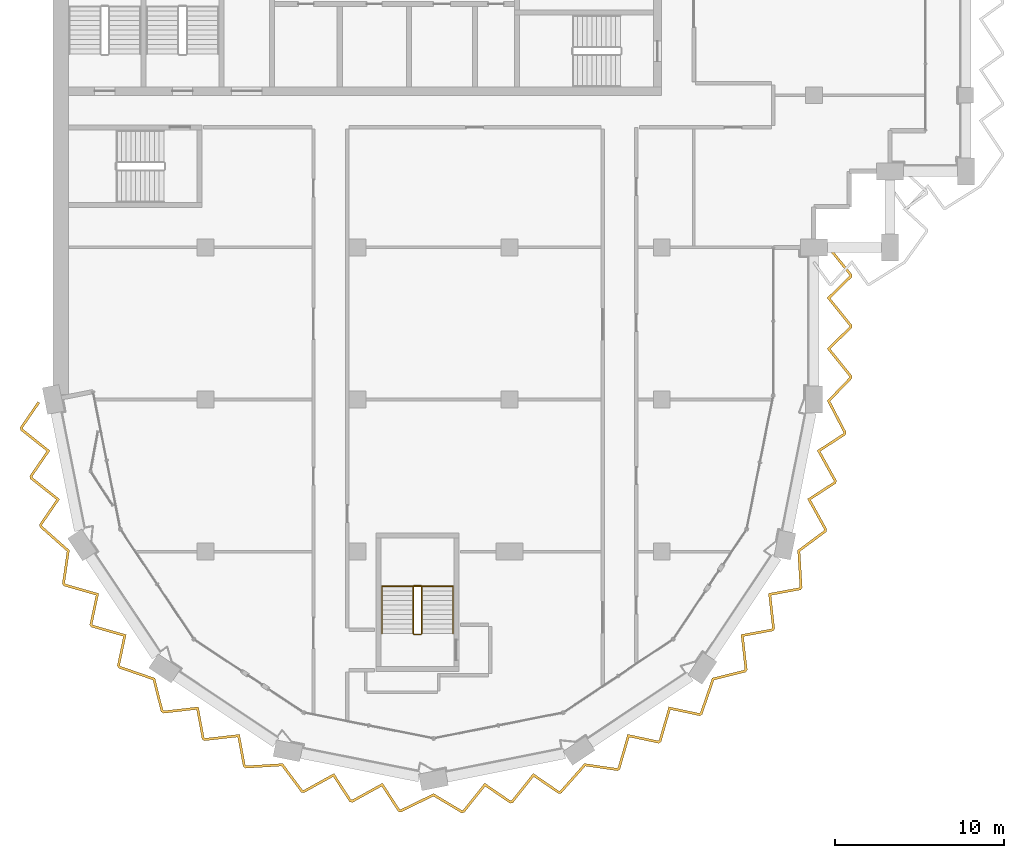
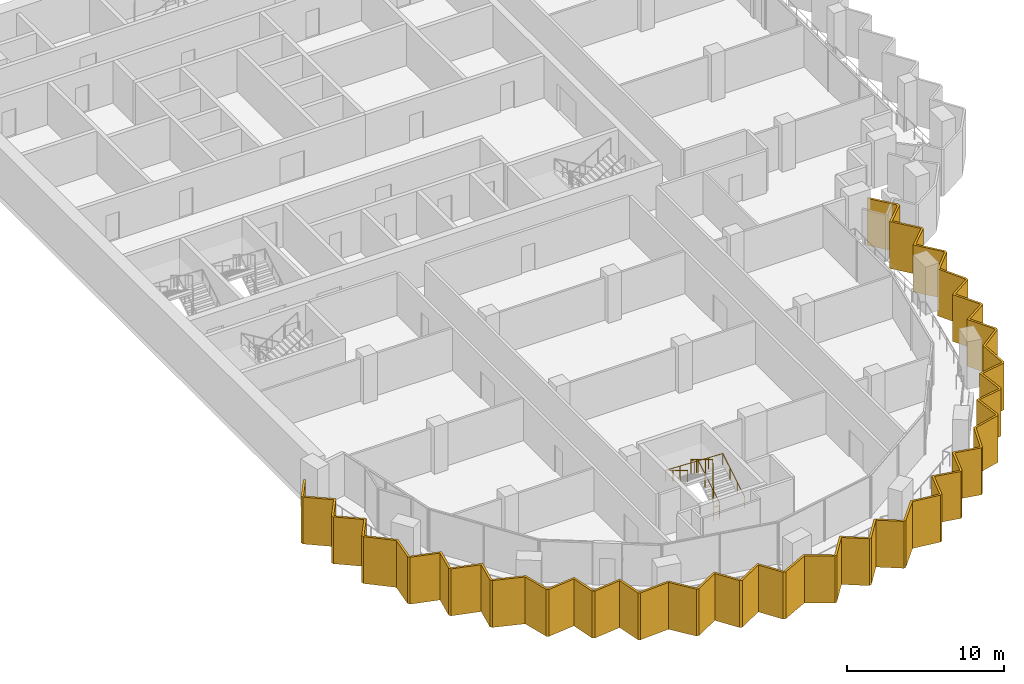
# One storey, part 14 of 17: 2 railings, 1 shading device.
"""IFC4 building model written with IfcOpenShell, lengths in metres."""

from ifc_helpers import new_model, si_unit, direction, frame, origin, origin_2d, place, context, subcontext, project, spatial, polyline, circle, outline, extrude, material, layer, layer_set, type_object, element, save


model = new_model("IFC4")

# Units and contexts
model_context = context("Model", 3, precision=1e-05, world=origin(), true_north=direction((0.0, 1.0)))
body_context = subcontext(model_context, "Body", "Model", "MODEL_VIEW")
ifc_project = project(units=[si_unit("LENGTHUNIT", "METRE"), si_unit("AREAUNIT", "SQUARE_METRE"), si_unit("VOLUMEUNIT", "CUBIC_METRE"), si_unit("PLANEANGLEUNIT", "RADIAN"), si_unit("MASSUNIT", "GRAM", prefix="KILO")], contexts=[model_context])

# Site, building, storey
site_placement = place(None, origin())
site = spatial("IfcSite", under=ifc_project, at=site_placement, CompositionType="ELEMENT")
building_placement = place(site_placement, origin())
building = spatial("IfcBuilding", under=site, at=building_placement, Name="Hunhe Ridgeline Campus", CompositionType="ELEMENT")
storey_placement = place(building_placement, frame((0.0, 0.0, 268.800048828125)))
storey = spatial("IfcBuildingStorey", under=building, at=storey_placement, Name="L69", CompositionType="ELEMENT", Elevation=268.800048828125)

# Shading device
ifc_material_1 = material(Name="Concrete C50", Category="concrete")
ifc_layer = layer(ifc_material_1, 0.14990234375)
ifc_layer_set = layer_set([ifc_layer], Name="Sawtooth concrete fin 150 Concrete C50")
shading_device_type = type_object("IfcShadingDeviceType", Name="Sawtooth concrete fin 150 Concrete C50", PredefinedType="USERDEFINED", material=ifc_layer_set)
shading_device_placement = place(storey_placement, frame((0.0, 0.0, -0.949951171875)))
element("IfcShadingDevice", 1, at=shading_device_placement, inside=storey, type_object=shading_device_type, Name="Concrete fin screen 1", ObjectType="FIN", PredefinedType="USERDEFINED", context=body_context, shape_type="SweptSolid", body=[
    extrude(outline(polyline([(-0.79638671875, 44.786865234375), (-0.919921875, 44.871826171875), (-1.965576171875, 43.348876953125), (-1.9306640625, 43.17333984375), (-0.388671875, 41.944091796875), (-1.394775390625, 40.478759765625), (-1.35986328125, 40.30322265625), (0.182373046875, 39.073974609375), (-0.82373046875, 37.608642578125), (-0.789306640625, 37.435302734375), (0.808349609375, 36.01904296875), (0.530029296875, 34.109619140625), (0.6279296875, 33.963134765625), (2.523193359375, 33.41748046875), (2.154296875, 31.6787109375), (2.25390625, 31.530029296875), (4.14892578125, 30.984375), (3.780029296875, 29.24560546875), (3.87841796875, 29.0986328125), (5.896484375, 28.401611328125), (6.369873046875, 26.531005859375), (6.5166015625, 26.43310546875), (8.47607421875, 26.654296875), (8.80078125, 24.906982421875), (8.94970703125, 24.807373046875), (10.909423828125, 25.028564453125), (11.234130859375, 23.281005859375), (11.381103515625, 23.182861328125), (13.51220703125, 23.311279296875), (14.66552734375, 21.764404296875), (14.83837890625, 21.72998046875), (16.564208984375, 22.68408203125), (17.532958984375, 21.19384765625), (17.70849609375, 21.158935546875), (19.434326171875, 22.11328125), (20.403076171875, 20.623046875), (20.576416015625, 20.588623046875), (22.496337890625, 21.522705078125), (24.15380859375, 20.534912109375), (24.32666015625, 20.5693359375), (25.555908203125, 22.111328125), (27.021240234375, 21.105224609375), (27.19677734375, 21.14013671875), (28.426025390625, 22.682373046875), (29.891357421875, 21.67626953125), (30.064697265625, 21.710693359375), (31.48095703125, 23.308349609375), (33.390380859375, 23.030029296875), (33.536865234375, 23.1279296875), (34.08251953125, 25.023193359375), (35.8212890625, 24.654296875), (35.969970703125, 24.75390625), (36.515625, 26.64892578125), (38.25439453125, 26.280029296875), (38.4013671875, 26.37841796875), (39.098388671875, 28.396484375), (40.968994140625, 28.869873046875), (41.06689453125, 29.0166015625), (40.845703125, 30.97607421875), (42.593017578125, 31.30078125), (42.692626953125, 31.44970703125), (42.471435546875, 33.409423828125), (44.218994140625, 33.734130859375), (44.317138671875, 33.881103515625), (44.188720703125, 36.01220703125), (45.735595703125, 37.16552734375), (45.77001953125, 37.33837890625), (44.81591796875, 39.064208984375), (46.30615234375, 40.032958984375), (46.341064453125, 40.20849609375), (45.38671875, 41.934326171875), (46.876953125, 42.903076171875), (46.91162109375, 43.07763671875), (45.96630859375, 44.900634765625), (47.25, 46.2373046875), (47.25, 46.4140625), (45.976318359375, 47.993896484375), (47.25, 49.23583984375), (47.25, 49.4140625), (45.976318359375, 50.993896484375), (47.25, 52.23583984375), (47.25, 52.4140625), (45.933349609375, 54.047119140625), (45.816650390625, 53.952880859375), (47.10009765625, 52.361083984375), (47.10009765625, 52.299072265625), (45.773681640625, 51.006103515625), (47.10009765625, 49.361083984375), (47.10009765625, 49.299072265625), (45.773681640625, 48.006103515625), (47.10009765625, 46.361083984375), (47.10009765625, 46.297607421875), (45.78369140625, 44.927001953125), (46.75439453125, 43.05517578125), (46.7421875, 42.994384765625), (45.187744140625, 41.98388671875), (46.18310546875, 40.18408203125), (46.17138671875, 40.124267578125), (44.616943359375, 39.11376953125), (45.6123046875, 37.31396484375), (45.599853515625, 37.25146484375), (44.0341796875, 36.084228515625), (44.164306640625, 33.92236328125), (44.12939453125, 33.869873046875), (42.306640625, 33.53125), (42.537353515625, 31.487548828125), (42.503662109375, 31.436767578125), (40.680908203125, 31.09814453125), (40.91162109375, 29.05419921875), (40.876220703125, 29.001220703125), (38.983154296875, 28.52197265625), (38.276123046875, 26.47509765625), (38.2236328125, 26.43994140625), (36.41015625, 26.82470703125), (35.841064453125, 24.84814453125), (35.79052734375, 24.814208984375), (33.976806640625, 25.19873046875), (33.407958984375, 23.22216796875), (33.35498046875, 23.186767578125), (31.422607421875, 23.468505859375), (29.986083984375, 21.847900390625), (29.924072265625, 21.835693359375), (28.395751953125, 22.885009765625), (27.11376953125, 21.276611328125), (27.053955078125, 21.2646484375), (25.525634765625, 22.31396484375), (24.24365234375, 20.70556640625), (24.18115234375, 20.693359375), (22.503662109375, 21.693115234375), (20.556396484375, 20.74560546875), (20.494384765625, 20.7578125), (19.48388671875, 22.312255859375), (17.68408203125, 21.31689453125), (17.624267578125, 21.32861328125), (16.61376953125, 22.883056640625), (14.81396484375, 21.8876953125), (14.75146484375, 21.900146484375), (13.584228515625, 23.4658203125), (11.42236328125, 23.335693359375), (11.369873046875, 23.37060546875), (11.03125, 25.193359375), (8.987548828125, 24.962646484375), (8.936767578125, 24.996337890625), (8.59814453125, 26.819091796875), (6.55419921875, 26.58837890625), (6.501220703125, 26.623779296875), (6.02197265625, 28.516845703125), (3.97509765625, 29.223876953125), (3.93994140625, 29.2763671875), (4.32470703125, 31.08984375), (2.34814453125, 31.658935546875), (2.314208984375, 31.70947265625), (2.69873046875, 33.523193359375), (0.72216796875, 34.092041015625), (0.686767578125, 34.14501953125), (0.968505859375, 36.077392578125), (-0.652099609375, 37.513916015625), (-0.664306640625, 37.575927734375), (0.385009765625, 39.104248046875), (-1.223388671875, 40.38623046875), (-1.2353515625, 40.446044921875), (-0.18603515625, 41.974365234375), (-1.79443359375, 43.25634765625), (-1.80615234375, 43.316162109375), (-0.79638671875, 44.786865234375)])), origin(), (0.0, 0.0, 1.0), 3.64990234375),
])

# Railings
ifc_material_2 = material(Name="Stainless steel balustrade", Category="steel")
railing_type_1 = type_object("IfcRailingType", Name="Stair guard 1100 stainless", PredefinedType="GUARDRAIL", material=ifc_material_2)
railing_1_placement = place(storey_placement, frame((21.800048828125, 31.14990234375, 0.168212890625)))
element("IfcRailing", 2, at=railing_1_placement, inside=storey, type_object=railing_type_1, Name="L69 stair W3 guard", PredefinedType="GUARDRAIL", context=body_context, shape_type="SweptSolid", body=[
    extrude(circle(Radius=0.02392578125, at=origin_2d()), frame((0.0, 0.0, 1.076171875), z_axis=(0.0, 0.857275202839, 0.514858452973), x_axis=(-1.0, 0.0, 0.0)), (0.0, 0.0, 1.0), 3.26611328125),
    extrude(circle(Radius=0.02392578125, at=origin_2d()), frame((0.0, 2.800048828125, 2.7578125), z_axis=(-0.707106781187, 0.707106781187, 0.0), x_axis=(-0.707106781187, -0.707106781187, 0.0)), (0.0, 0.0, 1.0), 0.07080078125),
    extrude(circle(Radius=0.02392578125, at=origin_2d()), frame((-0.050048828125, 2.85009765625, 2.7578125), z_axis=(-1.0, 0.0, 0.0), x_axis=(0.0, -1.0, 0.0)), (0.0, 0.0, 1.0), 0.39990234375),
    extrude(circle(Radius=0.02392578125, at=origin_2d()), frame((-0.449951171875, 2.85009765625, 2.7578125), z_axis=(-0.274243871929, -0.274243871929, 0.92172696468), x_axis=(0.707106781187, -0.707106781187, 0.0)), (0.0, 0.0, 1.0), 0.1826171875),
    extrude(circle(Radius=0.02392578125, at=origin_2d()), frame((-0.5, 2.800048828125, 2.92578125), z_axis=(0.0, -0.857242210791, 0.514913383045), x_axis=(1.0, 0.0, 0.0)), (0.0, 0.0, 1.0), 3.266357421875),
    extrude(circle(Radius=0.02392578125, at=origin_2d()), frame((-0.5, 0.0, 4.60791015625), z_axis=(0.013524426427, -0.013458453615, -0.999817963389), x_axis=(0.705375805398, 0.708833529934, 0.0)), (0.0, 0.0, 1.0), 3.70068359375),
    extrude(circle(Radius=0.02392578125, at=origin_2d()), frame((-0.449951171875, -0.0498046875, 0.90771484375), z_axis=(1.0, 0.0, 0.0), x_axis=(0.0, 1.0, 0.0)), (0.0, 0.0, 1.0), 0.39990234375),
    extrude(circle(Radius=0.02099609375, at=origin_2d()), origin(), (0.0, 0.0, 1.0), 1.052001953125),
    extrude(circle(Radius=0.02099609375, at=origin_2d()), frame((0.0, 0.933349609375, 0.560546875)), (0.0, 0.0, 1.0), 1.052001953125),
    extrude(circle(Radius=0.02099609375, at=origin_2d()), frame((0.0, 1.86669921875, 1.12109375)), (0.0, 0.0, 1.0), 1.052001953125),
    extrude(circle(Radius=0.02099609375, at=origin_2d()), frame((0.0, 2.800048828125, 1.681640625)), (0.0, 0.0, 1.0), 1.052001953125),
    extrude(circle(Radius=0.02099609375, at=origin_2d()), frame((-0.050048828125, 2.85009765625, 1.681640625)), (0.0, 0.0, 1.0), 1.052001953125),
    extrude(circle(Radius=0.02099609375, at=origin_2d()), frame((-0.449951171875, 2.85009765625, 1.681640625)), (0.0, 0.0, 1.0), 1.052001953125),
    extrude(circle(Radius=0.02099609375, at=origin_2d()), frame((-0.5, 2.800048828125, 1.849853515625)), (0.0, 0.0, 1.0), 1.052001953125),
    extrude(circle(Radius=0.02099609375, at=origin_2d()), frame((-0.5, 1.86669921875, 2.410400390625)), (0.0, 0.0, 1.0), 1.052001953125),
    extrude(circle(Radius=0.02099609375, at=origin_2d()), frame((-0.5, 0.933349609375, 2.97119140625)), (0.0, 0.0, 1.0), 1.052001953125),
    extrude(circle(Radius=0.02099609375, at=origin_2d()), frame((-0.5, 0.0, 3.53173828125)), (0.0, 0.0, 1.0), 1.052001953125),
    extrude(circle(Radius=0.02099609375, at=origin_2d()), frame((-0.487548828125, -0.012451171875, 2.606689453125)), (0.0, 0.0, 1.0), 1.052001953125),
    extrude(circle(Radius=0.02099609375, at=origin_2d()), frame((-0.47509765625, -0.02490234375, 1.681640625)), (0.0, 0.0, 1.0), 1.052001953125),
    extrude(circle(Radius=0.02099609375, at=origin_2d()), frame((-0.46240234375, -0.037353515625, 0.7568359375)), (0.0, 0.0, 1.0), 1.052001953125),
    extrude(circle(Radius=0.02099609375, at=origin_2d()), frame((-0.449951171875, -0.0498046875, -0.168212890625)), (0.0, 0.0, 1.0), 1.052001953125),
    extrude(circle(Radius=0.02099609375, at=origin_2d()), frame((-0.050048828125, -0.0498046875, -0.168212890625)), (0.0, 0.0, 1.0), 1.052001953125),
])
ifc_material_3 = material(Name="Stainless steel handrail", Category="steel")
railing_type_2 = type_object("IfcRailingType", Name="Stair handrail 900 stainless", PredefinedType="HANDRAIL", material=ifc_material_3)
railing_2_placement = place(storey_placement, frame((23.64990234375, 31.14990234375, 0.168212890625)))
element("IfcRailing", 3, at=railing_2_placement, inside=storey, type_object=railing_type_2, Name="L69 stair W3 handrail", PredefinedType="HANDRAIL", context=body_context, shape_type="SweptSolid", body=[
    extrude(circle(Radius=0.02392578125, at=origin_2d()), frame((0.0, 0.0, 0.8759765625), z_axis=(0.0, 0.857275202839, 0.514858452973), x_axis=(-1.0, 0.0, 0.0)), (0.0, 0.0, 1.0), 3.26611328125),
    extrude(circle(Radius=0.02392578125, at=origin_2d()), frame((0.0, 2.800048828125, 2.5576171875), z_axis=(-0.999198916169, 0.0, 0.040019069537), x_axis=(0.0, -1.0, 0.0)), (0.0, 0.0, 1.0), 4.203369140625),
    extrude(circle(Radius=0.02392578125, at=origin_2d()), frame((-4.199951171875, 2.800048828125, 2.7255859375), z_axis=(0.0, -0.857242210791, 0.514913383045), x_axis=(1.0, 0.0, 0.0)), (0.0, 0.0, 1.0), 3.266357421875),
    extrude(circle(Radius=0.02099609375, at=origin_2d()), origin(), (0.0, 0.0, 1.0), 0.851806640625),
    extrude(circle(Radius=0.02099609375, at=origin_2d()), frame((0.0, 0.933349609375, 0.560546875)), (0.0, 0.0, 1.0), 0.851806640625),
    extrude(circle(Radius=0.02099609375, at=origin_2d()), frame((0.0, 1.86669921875, 1.12109375)), (0.0, 0.0, 1.0), 0.851806640625),
    extrude(circle(Radius=0.02099609375, at=origin_2d()), frame((0.0, 2.800048828125, 1.681640625)), (0.0, 0.0, 1.0), 0.851806640625),
    extrude(circle(Radius=0.02099609375, at=origin_2d()), frame((-1.050048828125, 2.800048828125, 1.7236328125)), (0.0, 0.0, 1.0), 0.851806640625),
    extrude(circle(Radius=0.02099609375, at=origin_2d()), frame((-2.10009765625, 2.800048828125, 1.765625)), (0.0, 0.0, 1.0), 0.851806640625),
    extrude(circle(Radius=0.02099609375, at=origin_2d()), frame((-3.14990234375, 2.800048828125, 1.807861328125)), (0.0, 0.0, 1.0), 0.851806640625),
    extrude(circle(Radius=0.02099609375, at=origin_2d()), frame((-4.199951171875, 2.800048828125, 1.849853515625)), (0.0, 0.0, 1.0), 0.851806640625),
    extrude(circle(Radius=0.02099609375, at=origin_2d()), frame((-4.199951171875, 1.86669921875, 2.410400390625)), (0.0, 0.0, 1.0), 0.851806640625),
    extrude(circle(Radius=0.02099609375, at=origin_2d()), frame((-4.199951171875, 0.933349609375, 2.97119140625)), (0.0, 0.0, 1.0), 0.851806640625),
    extrude(circle(Radius=0.02099609375, at=origin_2d()), frame((-4.199951171875, 0.0, 3.53173828125)), (0.0, 0.0, 1.0), 0.851806640625),
])

save(model, "model.ifc")
